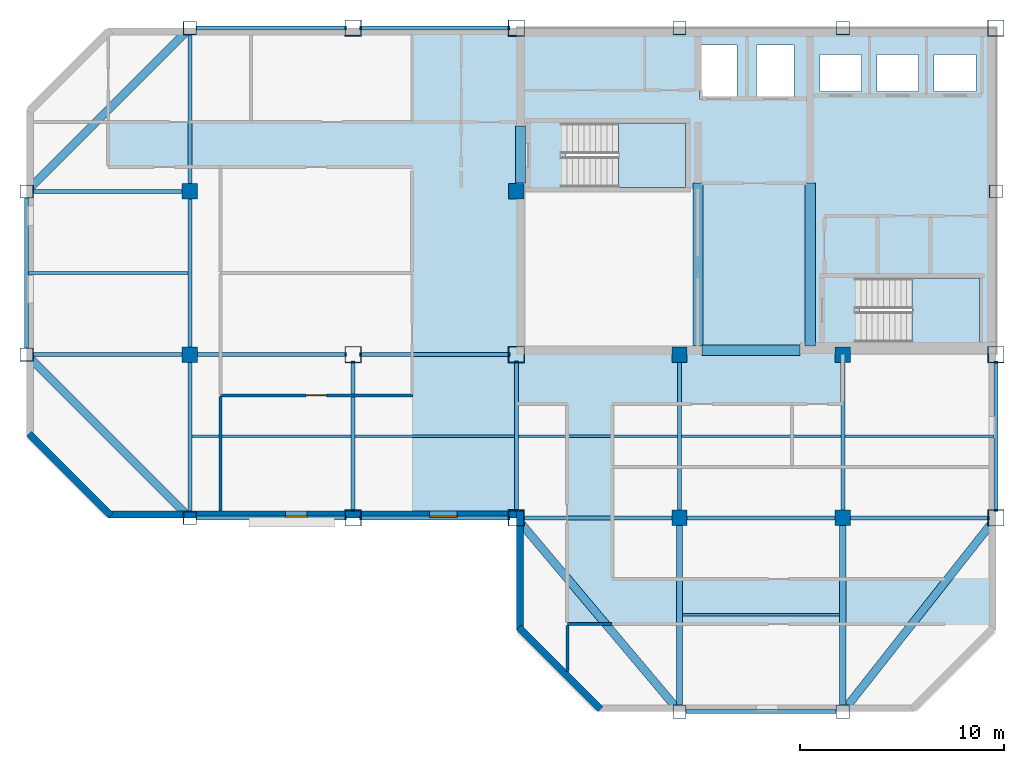
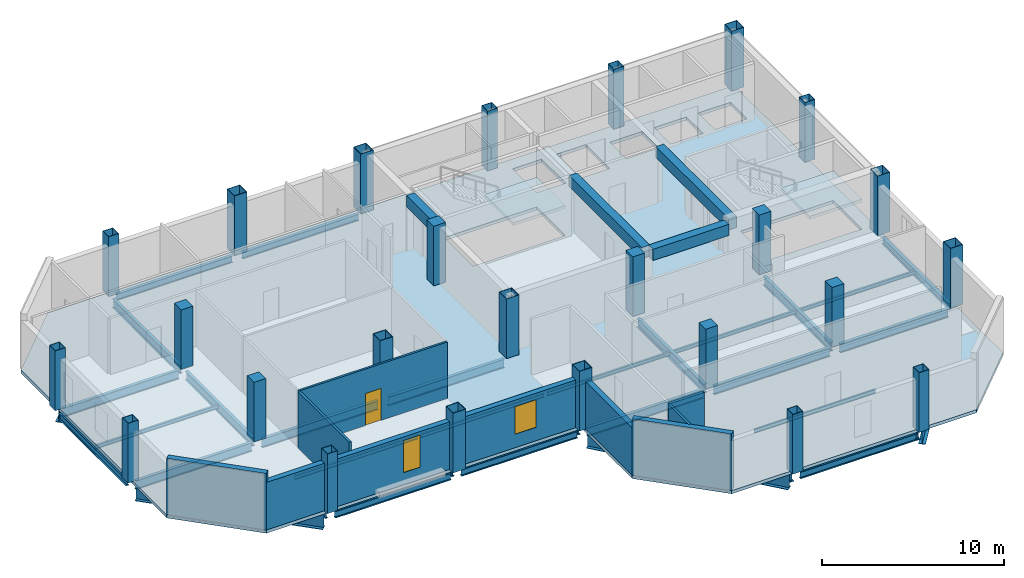
# One storey, part 1 of 7: 38 beams, 25 columns, 8 walls, 3 slabs, 2 windows, 1 door, 3 openings, 2 elements without a shape of their own.
"""IFC4 building model written with IfcOpenShell, lengths in metres."""

from ifc_helpers import new_model, si_unit, direction, frame, frame_2d, origin, origin_2d, place, context, subcontext, project, spatial, polyline, rectangle, hollow_rectangle, i_section, outline, extrude, material, layer, layer_set, material_profile, profile_set, type_object, element, fill, aggregate, save


model = new_model("IFC4")

# Units and contexts
model_context = context("Model", 3, precision=1e-05, world=origin(), true_north=direction((0.0, 1.0)))
body_context = subcontext(model_context, "Body", "Model", "MODEL_VIEW")
ifc_project = project(units=[si_unit("LENGTHUNIT", "METRE"), si_unit("AREAUNIT", "SQUARE_METRE"), si_unit("VOLUMEUNIT", "CUBIC_METRE"), si_unit("PLANEANGLEUNIT", "RADIAN"), si_unit("MASSUNIT", "GRAM", prefix="KILO")], contexts=[model_context])

# Site, building, storey
site_placement = place(None, origin())
site = spatial("IfcSite", under=ifc_project, at=site_placement, CompositionType="ELEMENT")
building_placement = place(site_placement, origin())
building = spatial("IfcBuilding", under=site, at=building_placement, Name="Qianrong Seaharbour Tower", CompositionType="ELEMENT")
storey_placement = place(building_placement, frame((0.0, 0.0, 339.199951171875)))
storey = spatial("IfcBuildingStorey", under=building, at=storey_placement, Name="L82", CompositionType="ELEMENT", Elevation=339.199951171875)

# Columns
ifc_material_1 = material(Name="Structural steel SN490B", Category="steel")
ifc_material_profile_1 = material_profile(ifc_material_1, hollow_rectangle(XDim=0.800048828125, YDim=0.800048828125, WallThickness=0.031982421875, at=origin_2d()), Name="BOX800x800x32")
ifc_profile_set_1 = profile_set([ifc_material_profile_1], Name="Structural steel SN490B")
column_type_1 = type_object("IfcColumnType", Name="COL-CFT-800", PredefinedType="COLUMN", material=ifc_profile_set_1)
for number, where, z_axis, x_axis, name in (
    (1, (32.5, 28.0, 0.0), (0.0, 0.0, 1.0), (1.0, 0.0, 0.0), "L82 Column MC-5 at G5/GE"),
    (2, (32.5, 36.0, 0.0), (0.0, 0.0, 1.0), (1.0, 0.0, 0.0), "L82 Column MC-5 at G5/GF"),
    (3, (32.5, 52.0, 0.0), (0.0, 0.0, 1.0), (1.0, 0.0, 0.0), "L82 Column MC-5 at G5/GH"),
    (4, (40.5, 28.0, 0.0), (0.0, 0.0, 1.0), (1.0, 0.0, 0.0), "L82 Column MC-5 at G6/GE"),
    (5, (40.5, 36.0, 0.0), (0.0, 0.0, 1.0), (1.0, 0.0, 0.0), "L82 Column MC-5 at G6/GF"),
    (6, (40.5, 52.0, 0.0), (0.0, 0.0, 1.0), (1.0, 0.0, 0.0), "L82 Column MC-5 at G6/GH"),
    (7, (64.0, 28.0, 0.0), (0.0, 0.0, 1.0), (1.0, 0.0, 0.0), "L82 Column MC-5 at G9/GE"),
    (8, (64.0, 36.0, 0.0), (0.0, 0.0, 1.0), (1.0, 0.0, 0.0), "L82 Column MC-5 at G9/GF"),
    (9, (64.0, 52.0, 0.0), (0.0, 0.0, 1.0), (1.0, 0.0, 0.0), "L82 Column MC-5 at G9/GH"),
):
    element("IfcColumn", number, at=place(storey_placement, frame(where, z_axis=z_axis, x_axis=x_axis)), inside=storey, type_object=column_type_1, Name=name, PredefinedType="COLUMN", context=body_context, shape_type="SweptSolid", body=[
        extrude(hollow_rectangle(XDim=0.800048828125, YDim=0.800048828125, WallThickness=0.031982421875, at=origin_2d()), origin(), (0.0, 0.0, 1.0), 4.0),
    ])
ifc_material_2 = material(Name="Concrete C50/60", Category="concrete")
ifc_material_profile_2 = material_profile(ifc_material_2, rectangle(XDim=0.75, YDim=0.75, at=origin_2d()), Name="RC750x750")
ifc_profile_set_2 = profile_set([ifc_material_profile_2], Name="Concrete C50/60")
column_type_2 = type_object("IfcColumnType", Name="COL-INT-RC750", PredefinedType="COLUMN", material=ifc_profile_set_2)
for number, where, z_axis, x_axis, name in (
    (10, (24.5, 36.0, 0.0), (0.0, 0.0, 1.0), (1.0, 0.0, 0.0), "L82 Column IC-4 at G4/GF"),
    (11, (24.5, 44.0, 0.0), (0.0, 0.0, 1.0), (1.0, 0.0, 0.0), "L82 Column IC-4 at G4/GG"),
    (12, (40.5, 44.0, 0.0), (0.0, 0.0, 1.0), (1.0, 0.0, 0.0), "L82 Column IC-4 at G6/GG"),
    (13, (48.5, 28.0, 0.0), (0.0, 0.0, 1.0), (1.0, 0.0, 0.0), "L82 Column IC-4 at G7/GE"),
    (14, (48.5, 36.0, 0.0), (0.0, 0.0, 1.0), (1.0, 0.0, 0.0), "L82 Column IC-4 at G7/GF"),
    (15, (56.5, 28.0, 0.0), (0.0, 0.0, 1.0), (1.0, 0.0, 0.0), "L82 Column IC-4 at G8/GE"),
    (16, (56.5, 36.0, 0.0), (0.0, 0.0, 1.0), (1.0, 0.0, 0.0), "L82 Column IC-4 at G8/GF"),
):
    element("IfcColumn", number, at=place(storey_placement, frame(where, z_axis=z_axis, x_axis=x_axis)), inside=storey, type_object=column_type_2, Name=name, PredefinedType="COLUMN", context=body_context, shape_type="SweptSolid", body=[
        extrude(rectangle(XDim=0.75, YDim=0.75, at=origin_2d()), origin(), (0.0, 0.0, 1.0), 4.0),
    ])
ifc_material_3 = material(Name="Structural steel SN400B", Category="steel")
ifc_material_profile_3 = material_profile(ifc_material_3, hollow_rectangle(XDim=0.64990234375, YDim=0.64990234375, WallThickness=0.028076171875, at=origin_2d()), Name="BOX650x650x28")
ifc_profile_set_3 = profile_set([ifc_material_profile_3], Name="Structural steel SN400B")
column_type_3 = type_object("IfcColumnType", Name="COL-PER-650", PredefinedType="COLUMN", material=ifc_profile_set_3)
for number, where, z_axis, x_axis, name in (
    (17, (16.5, 36.0, 0.0), (0.0, 0.0, 1.0), (1.0, 0.0, 0.0), "L82 Column PC-4 at G3/GF"),
    (18, (16.5, 44.0, 0.0), (0.0, 0.0, 1.0), (1.0, 0.0, 0.0), "L82 Column PC-4 at G3/GG"),
    (19, (24.5, 28.0, 0.0), (0.0, 0.0, 1.0), (1.0, 0.0, 0.0), "L82 Column PC-4 at G4/GE"),
    (20, (24.5, 52.0, 0.0), (0.0, 0.0, 1.0), (1.0, 0.0, 0.0), "L82 Column PC-4 at G4/GH"),
    (21, (48.5, 18.5, 0.0), (0.0, 0.0, 1.0), (1.0, 0.0, 0.0), "L82 Column PC-4 at G7/GD"),
    (22, (48.5, 52.0, 0.0), (0.0, 0.0, 1.0), (1.0, 0.0, 0.0), "L82 Column PC-4 at G7/GH"),
    (23, (56.5, 18.5, 0.0), (0.0, 0.0, 1.0), (1.0, 0.0, 0.0), "L82 Column PC-4 at G8/GD"),
    (24, (56.5, 52.0, 0.0), (0.0, 0.0, 1.0), (1.0, 0.0, 0.0), "L82 Column PC-4 at G8/GH"),
    (25, (64.0, 44.0, 0.0), (0.0, 0.0, 1.0), (1.0, 0.0, 0.0), "L82 Column PC-4 at G9/GG"),
):
    element("IfcColumn", number, at=place(storey_placement, frame(where, z_axis=z_axis, x_axis=x_axis)), inside=storey, type_object=column_type_3, Name=name, PredefinedType="COLUMN", context=body_context, shape_type="SweptSolid", body=[
        extrude(hollow_rectangle(XDim=0.64990234375, YDim=0.64990234375, WallThickness=0.028076171875, at=origin_2d()), origin(), (0.0, 0.0, 1.0), 4.0),
    ])

# Beams
ifc_material_profile_4 = material_profile(ifc_material_1, i_section(OverallWidth=0.199951171875, OverallDepth=0.60009765625, WebThickness=0.010986328125, FlangeThickness=0.01708984375, FilletRadius=0.02197265625, at=origin_2d()), Name="H600x200x11x17")
ifc_profile_set_4 = profile_set([ifc_material_profile_4], Name="Structural steel SN490B")
beam_type_1 = type_object("IfcBeamType", Name="BM-G-600", PredefinedType="BEAM", material=ifc_profile_set_4)
for number, where, z_axis, x_axis, name in (
    (26, (40.820068359375, 28.0, -0.514892578125), (1.0, 0.0, 0.0), (0.0, 1.0, 0.0), "L82 Primary Girder GE G6-G7"),
    (27, (48.820068359375, 28.0, -0.514892578125), (1.0, 0.0, 0.0), (0.0, 1.0, 0.0), "L82 Primary Girder GE G7-G8"),
):
    element("IfcBeam", number, at=place(storey_placement, frame(where, z_axis=z_axis, x_axis=x_axis)), inside=storey, type_object=beam_type_1, Name=name, PredefinedType="BEAM", context=body_context, shape_type="SweptSolid", body=[
        extrude(i_section(OverallWidth=0.199951171875, OverallDepth=0.60009765625, WebThickness=0.010986328125, FlangeThickness=0.01708984375, FilletRadius=0.02197265625, at=origin_2d()), origin(), (0.0, 0.0, 1.0), 7.35986328125),
    ])
beam_1_placement = place(storey_placement, frame((56.820068359375, 28.0, -0.514892578125), z_axis=(1.0, 0.0, 0.0), x_axis=(0.0, 1.0, 0.0)))
element("IfcBeam", 28, at=beam_1_placement, inside=storey, type_object=beam_type_1, Name="L82 Primary Girder GE G8-G9", PredefinedType="BEAM", context=body_context, shape_type="SweptSolid", body=[
    extrude(i_section(OverallWidth=0.199951171875, OverallDepth=0.60009765625, WebThickness=0.010986328125, FlangeThickness=0.01708984375, FilletRadius=0.02197265625, at=origin_2d()), origin(), (0.0, 0.0, 1.0), 6.85986328125),
])
for number, where, z_axis, x_axis, name in (
    (29, (16.820068359375, 36.0, -0.514892578125), (1.0, 0.0, 0.0), (0.0, 1.0, 0.0), "L82 Primary Girder GF G3-G4"),
    (30, (24.820068359375, 36.0, -0.514892578125), (1.0, 0.0, 0.0), (0.0, 1.0, 0.0), "L82 Primary Girder GF G4-G5"),
    (31, (32.820068359375, 36.0, -0.514892578125), (1.0, 0.0, 0.0), (0.0, 1.0, 0.0), "L82 Primary Girder GF G5-G6"),
    (32, (16.820068359375, 44.0, -0.514892578125), (1.0, 0.0, 0.0), (0.0, 1.0, 0.0), "L82 Primary Girder GG G3-G4"),
    (33, (24.5, 28.320068359375, -0.514892578125), (0.0, 1.0, 0.0), (-1.0, 0.0, 0.0), "L82 Primary Girder G4 GE-GF"),
    (34, (24.5, 36.320068359375, -0.514892578125), (0.0, 1.0, 0.0), (-1.0, 0.0, 0.0), "L82 Primary Girder G4 GF-GG"),
    (35, (24.5, 44.320068359375, -0.514892578125), (0.0, 1.0, 0.0), (-1.0, 0.0, 0.0), "L82 Primary Girder G4 GG-GH"),
    (36, (32.5, 28.320068359375, -0.514892578125), (0.0, 1.0, 0.0), (-1.0, 0.0, 0.0), "L82 Primary Girder G5 GE-GF"),
    (37, (40.5, 28.320068359375, -0.514892578125), (0.0, 1.0, 0.0), (-1.0, 0.0, 0.0), "L82 Primary Girder G6 GE-GF"),
    (38, (48.5, 28.320068359375, -0.514892578125), (0.0, 1.0, 0.0), (-1.0, 0.0, 0.0), "L82 Primary Girder G7 GE-GF"),
    (39, (56.5, 28.320068359375, -0.514892578125), (0.0, 1.0, 0.0), (-1.0, 0.0, 0.0), "L82 Primary Girder G8 GE-GF"),
):
    element("IfcBeam", number, at=place(storey_placement, frame(where, z_axis=z_axis, x_axis=x_axis)), inside=storey, type_object=beam_type_1, Name=name, PredefinedType="BEAM", context=body_context, shape_type="SweptSolid", body=[
        extrude(i_section(OverallWidth=0.199951171875, OverallDepth=0.60009765625, WebThickness=0.010986328125, FlangeThickness=0.01708984375, FilletRadius=0.02197265625, at=origin_2d()), origin(), (0.0, 0.0, 1.0), 7.35986328125),
    ])
ifc_material_profile_5 = material_profile(ifc_material_1, i_section(OverallWidth=0.300048828125, OverallDepth=0.800048828125, WebThickness=0.013916015625, FlangeThickness=0.02587890625, FilletRadius=0.028076171875, at=origin_2d()), Name="H800x300x14x26")
ifc_profile_set_5 = profile_set([ifc_material_profile_5], Name="Structural steel SN490B")
beam_type_2 = type_object("IfcBeamType", Name="BM-G-800", PredefinedType="BEAM", material=ifc_profile_set_5)
for number, where, z_axis, x_axis, name in (
    (40, (48.5, 18.820068359375, -0.614990234375), (0.0, 1.0, 0.0), (-1.0, 0.0, 0.0), "L82 Primary Girder G7 GD-GE"),
    (41, (56.5, 18.820068359375, -0.614990234375), (0.0, 1.0, 0.0), (-1.0, 0.0, 0.0), "L82 Primary Girder G8 GD-GE"),
):
    element("IfcBeam", number, at=place(storey_placement, frame(where, z_axis=z_axis, x_axis=x_axis)), inside=storey, type_object=beam_type_2, Name=name, PredefinedType="BEAM", context=body_context, shape_type="SweptSolid", body=[
        extrude(i_section(OverallWidth=0.300048828125, OverallDepth=0.800048828125, WebThickness=0.013916015625, FlangeThickness=0.02587890625, FilletRadius=0.028076171875, at=origin_2d()), origin(), (0.0, 0.0, 1.0), 8.85986328125),
    ])
ifc_material_profile_6 = material_profile(ifc_material_3, i_section(OverallWidth=0.125, OverallDepth=0.25, WebThickness=0.006103515625, FlangeThickness=0.009033203125, FilletRadius=0.011962890625, at=origin_2d()), Name="H250x125x6x9")
ifc_profile_set_6 = profile_set([ifc_material_profile_6], Name="Structural steel SN400B")
beam_type_3 = type_object("IfcBeamType", Name="BM-J-250", PredefinedType="JOIST", material=ifc_profile_set_6)
for number, where, z_axis, x_axis, name in (
    (42, (16.60009765625, 40.0, -0.33984375), (1.0, 0.0, 0.0), (0.0, 1.0, 0.0), "L82 Composite Floor Joist G3-G4/GF-GG"),
    (43, (24.60009765625, 32.0, -0.33984375), (1.0, 0.0, 0.0), (0.0, 1.0, 0.0), "L82 Composite Floor Joist G4-G5/GE-GF"),
    (44, (32.60009765625, 32.0, -0.33984375), (1.0, 0.0, 0.0), (0.0, 1.0, 0.0), "L82 Composite Floor Joist G5-G6/GE-GF"),
    (45, (40.60009765625, 32.0, -0.33984375), (1.0, 0.0, 0.0), (0.0, 1.0, 0.0), "L82 Composite Floor Joist G6-G7/GE-GF"),
):
    element("IfcBeam", number, at=place(storey_placement, frame(where, z_axis=z_axis, x_axis=x_axis)), inside=storey, type_object=beam_type_3, Name=name, PredefinedType="JOIST", context=body_context, shape_type="SweptSolid", body=[
        extrude(i_section(OverallWidth=0.125, OverallDepth=0.25, WebThickness=0.006103515625, FlangeThickness=0.009033203125, FilletRadius=0.011962890625, at=origin_2d()), origin(), (0.0, 0.0, 1.0), 7.7998046875),
    ])
beam_2_placement = place(storey_placement, frame((48.64990234375, 23.25, -0.33984375), z_axis=(1.0, 0.0, 0.0), x_axis=(0.0, 1.0, 0.0)))
element("IfcBeam", 46, at=beam_2_placement, inside=storey, type_object=beam_type_3, Name="L82 Composite Floor Joist G7-G8/GD-GE", PredefinedType="JOIST", context=body_context, shape_type="SweptSolid", body=[
    extrude(i_section(OverallWidth=0.125, OverallDepth=0.25, WebThickness=0.006103515625, FlangeThickness=0.009033203125, FilletRadius=0.011962890625, at=origin_2d()), origin(), (0.0, 0.0, 1.0), 7.7001953125),
])
beam_3_placement = place(storey_placement, frame((48.60009765625, 32.0, -0.33984375), z_axis=(1.0, 0.0, 0.0), x_axis=(0.0, 1.0, 0.0)))
element("IfcBeam", 47, at=beam_3_placement, inside=storey, type_object=beam_type_3, Name="L82 Composite Floor Joist G7-G8/GE-GF", PredefinedType="JOIST", context=body_context, shape_type="SweptSolid", body=[
    extrude(i_section(OverallWidth=0.125, OverallDepth=0.25, WebThickness=0.006103515625, FlangeThickness=0.009033203125, FilletRadius=0.011962890625, at=origin_2d()), origin(), (0.0, 0.0, 1.0), 7.7998046875),
])
beam_4_placement = place(storey_placement, frame((56.60009765625, 32.0, -0.33984375), z_axis=(1.0, 0.0, 0.0), x_axis=(0.0, 1.0, 0.0)))
element("IfcBeam", 48, at=beam_4_placement, inside=storey, type_object=beam_type_3, Name="L82 Composite Floor Joist G8-G9/GE-GF", PredefinedType="JOIST", context=body_context, shape_type="SweptSolid", body=[
    extrude(i_section(OverallWidth=0.125, OverallDepth=0.25, WebThickness=0.006103515625, FlangeThickness=0.009033203125, FilletRadius=0.011962890625, at=origin_2d()), origin(), (0.0, 0.0, 1.0), 7.2998046875),
])
ifc_material_4 = material(Name="Concrete C60/75", Category="concrete")
ifc_material_profile_7 = material_profile(ifc_material_4, rectangle(XDim=0.5, YDim=0.75, at=origin_2d()), Name="RC500x750")
ifc_profile_set_7 = profile_set([ifc_material_profile_7], Name="Concrete C60/75")
beam_type_4 = type_object("IfcBeamType", Name="BM-LINTEL-750", PredefinedType="LINTEL", material=ifc_profile_set_7)
beam_5_placement = place(storey_placement, frame((40.7099609375, 44.39990234375, 3.41015625), z_axis=(0.0, 1.0, 0.0), x_axis=(-1.0, 0.0, 0.0)))
element("IfcBeam", 49, at=beam_5_placement, inside=storey, type_object=beam_type_4, Name="L82 Core Coupling Lintel Beam West", PredefinedType="LINTEL", context=body_context, shape_type="SweptSolid", body=[
    extrude(rectangle(XDim=0.5, YDim=0.75, at=origin_2d()), origin(), (0.0, 0.0, 1.0), 2.800048828125),
])
beam_6_placement = place(storey_placement, frame((49.60009765625, 36.2099609375, 3.41015625), z_axis=(1.0, 0.0, 0.0), x_axis=(0.0, 1.0, 0.0)))
element("IfcBeam", 50, at=beam_6_placement, inside=storey, type_object=beam_type_4, Name="L82 Core Coupling Lintel Beam CBC", PredefinedType="LINTEL", context=body_context, shape_type="SweptSolid", body=[
    extrude(rectangle(XDim=0.5, YDim=0.75, at=origin_2d()), origin(), (0.0, 0.0, 1.0), 4.7998046875),
])
for number, where, z_axis, x_axis, name in (
    (51, (49.39990234375, 36.419921875, 3.41015625), (0.0, 1.0, 0.0), (-1.0, 0.0, 0.0), "L82 Internal Core Coupling Beam IW1"),
    (52, (54.89990234375, 36.419921875, 3.41015625), (0.0, 1.0, 0.0), (-1.0, 0.0, 0.0), "L82 Internal Core Coupling Beam IW2"),
):
    element("IfcBeam", number, at=place(storey_placement, frame(where, z_axis=z_axis, x_axis=x_axis)), inside=storey, type_object=beam_type_4, Name=name, PredefinedType="LINTEL", context=body_context, shape_type="SweptSolid", body=[
        extrude(rectangle(XDim=0.5, YDim=0.75, at=origin_2d()), origin(), (0.0, 0.0, 1.0), 7.97998046875),
    ])
ifc_material_profile_8 = material_profile(ifc_material_3, i_section(OverallWidth=0.199951171875, OverallDepth=0.449951171875, WebThickness=0.009033203125, FlangeThickness=0.013916015625, FilletRadius=0.01806640625, at=origin_2d()), Name="H450x200x9x14")
ifc_profile_set_8 = profile_set([ifc_material_profile_8], Name="Structural steel SN400B")
beam_type_5 = type_object("IfcBeamType", Name="BM-SP-450", PredefinedType="SPANDREL", material=ifc_profile_set_8)
for number, where, z_axis, x_axis, name in (
    (53, (48.820068359375, 18.5, -0.43994140625), (1.0, 0.0, 0.0), (0.0, 1.0, 0.0), "L82 Spandrel Girder GD G7-G8"),
    (54, (24.820068359375, 28.0, -0.43994140625), (1.0, 0.0, 0.0), (0.0, 1.0, 0.0), "L82 Spandrel Girder GE G4-G5"),
    (55, (32.820068359375, 28.0, -0.43994140625), (1.0, 0.0, 0.0), (0.0, 1.0, 0.0), "L82 Spandrel Girder GE G5-G6"),
    (56, (24.820068359375, 52.0, -0.43994140625), (1.0, 0.0, 0.0), (0.0, 1.0, 0.0), "L82 Spandrel Girder GH G4-G5"),
    (57, (32.820068359375, 52.0, -0.43994140625), (1.0, 0.0, 0.0), (0.0, 1.0, 0.0), "L82 Spandrel Girder GH G5-G6"),
    (58, (16.5, 36.320068359375, -0.43994140625), (0.0, 1.0, 0.0), (-1.0, 0.0, 0.0), "L82 Spandrel Girder G3 GF-GG"),
    (59, (64.0, 28.320068359375, -0.43994140625), (0.0, 1.0, 0.0), (-1.0, 0.0, 0.0), "L82 Spandrel Girder G9 GE-GF"),
):
    element("IfcBeam", number, at=place(storey_placement, frame(where, z_axis=z_axis, x_axis=x_axis)), inside=storey, type_object=beam_type_5, Name=name, PredefinedType="SPANDREL", context=body_context, shape_type="SweptSolid", body=[
        extrude(i_section(OverallWidth=0.199951171875, OverallDepth=0.449951171875, WebThickness=0.009033203125, FlangeThickness=0.013916015625, FilletRadius=0.01806640625, at=origin_2d()), origin(), (0.0, 0.0, 1.0), 7.35986328125),
    ])
ifc_material_profile_9 = material_profile(ifc_material_1, i_section(OverallWidth=0.39990234375, OverallDepth=1.10009765625, WebThickness=0.02001953125, FlangeThickness=0.035888671875, at=origin_2d()), Name="BH1100x400x20x36")
ifc_profile_set_9 = profile_set([ifc_material_profile_9], Name="Structural steel SN490B")
beam_type_6 = type_object("IfcBeamType", Name="BM-TG-1100", PredefinedType="BEAM", material=ifc_profile_set_9)
for number, where, z_axis, x_axis, name in (
    (60, (24.273681640625, 28.226318359375, -0.764892578125), (-0.707106781187, 0.707106781187, 0.0), (-0.707106781187, -0.707106781187, 0.0), "L82 Chamfer Corner Spandrel Girder G3/GE"),
    (61, (24.273681640625, 51.773681640625, -0.764892578125), (-0.707106781187, -0.707106781187, 0.0), (0.707106781187, -0.707106781187, 0.0), "L82 Chamfer Corner Spandrel Girder G3/GH"),
):
    element("IfcBeam", number, at=place(storey_placement, frame(where, z_axis=z_axis, x_axis=x_axis)), inside=storey, type_object=beam_type_6, Name=name, PredefinedType="BEAM", context=body_context, shape_type="SweptSolid", body=[
        extrude(i_section(OverallWidth=0.39990234375, OverallDepth=1.10009765625, WebThickness=0.02001953125, FlangeThickness=0.035888671875, at=origin_2d()), origin(), (0.0, 0.0, 1.0), 10.673583984375),
    ])
beam_7_placement = place(storey_placement, frame((48.2939453125, 18.744873046875, -0.764892578125), z_axis=(-0.644151063101, 0.764898299061, 0.0), x_axis=(-0.764898299061, -0.644151063101, 0.0)))
element("IfcBeam", 62, at=beam_7_placement, inside=storey, type_object=beam_type_6, Name="L82 Chamfer Corner Spandrel Girder G6/GD", PredefinedType="BEAM", context=body_context, shape_type="SweptSolid", body=[
    extrude(i_section(OverallWidth=0.39990234375, OverallDepth=1.10009765625, WebThickness=0.02001953125, FlangeThickness=0.035888671875, at=origin_2d()), origin(), (0.0, 0.0, 1.0), 11.77978515625),
])
beam_8_placement = place(storey_placement, frame((56.6982421875, 18.751220703125, -0.764892578125), z_axis=(0.619653955715, 0.784875133487, 0.0), x_axis=(-0.784875133487, 0.619653955715, 0.0)))
element("IfcBeam", 63, at=beam_8_placement, inside=storey, type_object=beam_type_6, Name="L82 Chamfer Corner Spandrel Girder G9/GD", PredefinedType="BEAM", context=body_context, shape_type="SweptSolid", body=[
    extrude(i_section(OverallWidth=0.39990234375, OverallDepth=1.10009765625, WebThickness=0.02001953125, FlangeThickness=0.035888671875, at=origin_2d()), origin(), (0.0, 0.0, 1.0), 11.463623046875),
])

# Stair, slab
stair_type = type_object("IfcStairType", Name="STAIR-DOGLEG-1500-R22", PredefinedType="HALF_TURN_STAIR", material=ifc_material_2)
stair_1_placement = place(storey_placement, origin())
stair_1 = element("IfcStair", 64, at=stair_1_placement, inside=storey, type_object=stair_type, Name="L82 Protected Escape Stair ST-1", PredefinedType="HALF_TURN_STAIR")
ifc_layer_1 = layer(ifc_material_2, 0.199951171875)
ifc_layer_set_1 = layer_set([ifc_layer_1], Name="Concrete C50/60")
slab_type_1 = type_object("IfcSlabType", Name="SLAB-STAIR-LANDING-200", PredefinedType="LANDING", material=ifc_layer_set_1)
slab_1_placement = place(storey_placement, frame((0.0, 0.0, 1.800048828125)))
slab_1 = element("IfcSlab", 65, at=slab_1_placement, type_object=slab_type_1, Name="ST-1 landing 1", PredefinedType="LANDING", context=body_context, shape_type="SweptSolid", body=[
    extrude(outline(polyline([(45.5, 44.199951171875), (48.800048828125, 44.199951171875), (48.800048828125, 47.35009765625), (45.5, 47.35009765625), (45.5, 44.199951171875)])), origin(), (0.0, 0.0, 1.0), 0.199951171875),
])
aggregate(stair_1, [slab_1])

stair_2_placement = place(storey_placement, origin())
stair_2 = element("IfcStair", 66, at=stair_2_placement, inside=storey, type_object=stair_type, Name="L82 Protected Escape Stair ST-2", PredefinedType="HALF_TURN_STAIR")
slab_2_placement = place(storey_placement, frame((0.0, 0.0, 1.800048828125)))
slab_2 = element("IfcSlab", 67, at=slab_2_placement, type_object=slab_type_1, Name="ST-2 landing 1", PredefinedType="LANDING", context=body_context, shape_type="SweptSolid", body=[
    extrude(outline(polyline([(59.89990234375, 36.60009765625), (63.199951171875, 36.60009765625), (63.199951171875, 39.75), (59.89990234375, 39.75), (59.89990234375, 36.60009765625)])), origin(), (0.0, 0.0, 1.0), 0.199951171875),
])
aggregate(stair_2, [slab_2])

# Slab
ifc_layer_2 = layer(ifc_material_2, 0.215087890625)
ifc_layer_set_2 = layer_set([ifc_layer_2], Name="Concrete C50/60")
slab_type_2 = type_object("IfcSlabType", Name="SLAB-Z4-215", PredefinedType="FLOOR", material=ifc_layer_set_2)
slab_3_placement = place(storey_placement, frame((0.0, 0.0, -0.21484375)))
element("IfcSlab", 68, at=slab_3_placement, inside=storey, type_object=slab_type_2, Name="L82 Structural Floor Slab", PredefinedType="FLOOR", context=body_context, shape_type="SweptSolid", body=[
    extrude(outline(polyline([(44.5, 18.5), (60.0, 18.5), (64.0, 22.5), (64.0, 52.0), (20.5, 52.0), (16.5, 48.0), (16.5, 32.0), (20.5, 28.0), (40.5, 28.0), (40.5, 22.5), (44.5, 18.5)]), holes=[polyline([(42.93994140625, 44.199951171875), (42.93994140625, 47.35009765625), (48.800048828125, 47.35009765625), (48.800048828125, 44.199951171875), (42.93994140625, 44.199951171875)]), polyline([(57.340087890625, 36.60009765625), (57.340087890625, 39.75), (63.199951171875, 39.75), (63.199951171875, 36.60009765625), (57.340087890625, 36.60009765625)]), polyline([(49.47998046875, 48.530029296875), (49.47998046875, 51.169921875), (51.320068359375, 51.169921875), (51.320068359375, 48.530029296875), (49.47998046875, 48.530029296875)]), polyline([(52.280029296875, 48.530029296875), (52.280029296875, 51.169921875), (54.1201171875, 51.169921875), (54.1201171875, 48.530029296875), (52.280029296875, 48.530029296875)]), polyline([(55.3798828125, 48.89990234375), (55.3798828125, 50.699951171875), (57.419921875, 50.699951171875), (57.419921875, 48.89990234375), (55.3798828125, 48.89990234375)]), polyline([(58.179931640625, 48.89990234375), (58.179931640625, 50.699951171875), (60.219970703125, 50.699951171875), (60.219970703125, 48.89990234375), (58.179931640625, 48.89990234375)]), polyline([(60.97998046875, 48.89990234375), (60.97998046875, 50.699951171875), (63.02001953125, 50.699951171875), (63.02001953125, 48.89990234375), (60.97998046875, 48.89990234375)])]), origin(), (0.0, 0.0, 1.0), 0.21484375),
])

# Walls
ifc_material_5 = material(Name="Fire-rated acoustic gypsum board partition")
ifc_layer_3 = layer(ifc_material_5, 0.1650390625)
ifc_layer_set_3 = layer_set([ifc_layer_3], Name="Fire-rated acoustic gypsum board partition")
wall_type_1 = type_object("IfcWallType", Name="WALL-CORR-PART-165", PredefinedType="PARTITIONING", material=ifc_layer_set_3)
wall_1_placement = place(storey_placement, frame((45.199951171875, 22.800048828125, 0.0), z_axis=(0.0, 0.0, 1.0), x_axis=(-1.0, 0.0, 0.0)))
element("IfcWall", 69, at=wall_1_placement, inside=storey, type_object=wall_type_1, Name="L82 Interior Partition Wall 029", PredefinedType="PARTITIONING", context=body_context, shape_type="SweptSolid", body=[
    extrude(rectangle(XDim=2.199951171875, YDim=0.1650390625, at=frame_2d((1.10009765625, 0.0))), origin(), (0.0, 0.0, 1.0), 3.78515625),
])
ifc_material_6 = material(Name="Unitised buff brick on Precast concrete C45/55", Category="masonry")
ifc_layer_4 = layer(ifc_material_6, 0.340087890625)
ifc_layer_set_4 = layer_set([ifc_layer_4], Name="Unitised buff brick on Precast concrete C45/55")
wall_type_2 = type_object("IfcWallType", Name="WALL-EXT-BRICK-BUFF-340", PredefinedType="SOLIDWALL", material=ifc_layer_set_4)
wall_2_placement = place(storey_placement, frame((40.669921875, 22.5, 0.0), z_axis=(0.0, 0.0, 1.0), x_axis=(0.0, 1.0, 0.0)))
element("IfcWall", 70, at=wall_2_placement, inside=storey, type_object=wall_type_2, Name="L82 Exterior Masonry Facade Wall REENTRANT_WEST", PredefinedType="SOLIDWALL", context=body_context, shape_type="SweptSolid", body=[
    extrude(rectangle(XDim=5.840087890625, YDim=0.340087890625, at=frame_2d((2.919921875, 0.0))), origin(), (0.0, 0.0, 1.0), 3.18505859375),
])

# Wall, openings, windows
wall_3_placement = place(storey_placement, frame((40.52001953125, 28.169921875, 0.0), z_axis=(0.0, 0.0, 1.0), x_axis=(-1.0, 0.0, 0.0)))
wall_3 = element("IfcWall", 71, at=wall_3_placement, inside=storey, type_object=wall_type_2, Name="L82 Exterior Masonry Facade Wall HARBOUR_RIBBON", PredefinedType="SOLIDWALL", context=body_context, shape_type="SweptSolid", body=[
    extrude(rectangle(XDim=20.02001953125, YDim=0.340087890625, at=frame_2d((10.010009765625, 0.0))), origin(), (0.0, 0.0, 1.0), 3.18505859375),
])
opening_1_placement = place(wall_3_placement, frame((2.925048828125, 0.0, 0.89990234375)))
opening_1 = element("IfcOpeningElement", 72, at=opening_1_placement, cuts=wall_3, Name="Opening WN-02", PredefinedType="OPENING", context=body_context, shape_type="SweptSolid", body=[
    extrude(rectangle(XDim=1.35009765625, YDim=1.85009765625, at=frame_2d((0.675048828125, 0.925048828125))), frame((0.0, 0.18017578125, 0.0), z_axis=(0.0, -1.0, 0.0), x_axis=(1.0, 0.0, 0.0)), (0.0, 0.0, 1.0), 0.360107421875),
])
opening_2_placement = place(wall_3_placement, frame((10.27490234375, 0.0, 0.800048828125)))
opening_2 = element("IfcOpeningElement", 73, at=opening_2_placement, cuts=wall_3, Name="Opening WN-14", PredefinedType="OPENING", context=body_context, shape_type="SweptSolid", body=[
    extrude(rectangle(XDim=1.050048828125, YDim=2.14990234375, at=frame_2d((0.52490234375, 1.074951171875))), frame((0.0, 0.18017578125, 0.0), z_axis=(0.0, -1.0, 0.0), x_axis=(1.0, 0.0, 0.0)), (0.0, 0.0, 1.0), 0.360107421875),
])
ifc_material_7 = material(Name="Insulated low-e double glazing in thermally broken aluminium 6063-T6 frame", Category="aluminium")
window_type_1 = type_object("IfcWindowType", Name="WIN-NARROW-1050x2150", PartitioningType="SINGLE_PANEL", PredefinedType="WINDOW", material=ifc_material_7)
window_1_placement = place(opening_2_placement, origin())
window_1 = element("IfcWindow", 74, at=window_1_placement, inside=storey, type_object=window_type_1, Name="L82 Deep-Set Punched Window 01.03", OverallHeight=2.14990234375, OverallWidth=1.050048828125, PartitioningType="SINGLE_PANEL", PredefinedType="WINDOW", context=body_context, shape_type="SweptSolid", body=[
    extrude(rectangle(XDim=1.050048828125, YDim=2.14990234375, at=frame_2d((0.52490234375, 1.074951171875))), frame((0.0, 0.150146484375, 0.0), z_axis=(0.0, -1.0, 0.0), x_axis=(1.0, 0.0, 0.0)), (0.0, 0.0, 1.0), 0.06005859375),
])
fill(opening_2, window_1)
window_type_2 = type_object("IfcWindowType", Name="WIN-PUNCH-1350x1850", PartitioningType="DOUBLE_PANEL_VERTICAL", PredefinedType="WINDOW", material=ifc_material_7)
window_2_placement = place(opening_1_placement, origin())
window_2 = element("IfcWindow", 75, at=window_2_placement, inside=storey, type_object=window_type_2, Name="L82 Deep-Set Punched Window 01.01", OverallHeight=1.85009765625, OverallWidth=1.35009765625, PartitioningType="DOUBLE_PANEL_VERTICAL", PredefinedType="WINDOW", context=body_context, shape_type="SweptSolid", body=[
    extrude(rectangle(XDim=1.35009765625, YDim=1.85009765625, at=frame_2d((0.675048828125, 0.925048828125))), frame((0.0, 0.150146484375, 0.0), z_axis=(0.0, -1.0, 0.0), x_axis=(1.0, 0.0, 0.0)), (0.0, 0.0, 1.0), 0.06005859375),
])
fill(opening_1, window_2)

# Walls
for number, where, z_axis, x_axis, name in (
    (76, (20.6201171875, 28.1201171875, 0.0), (0.0, 0.0, 1.0), (-0.707106781187, 0.707106781187, 0.0), "L82 Exterior Masonry Facade Wall E02"),
    (77, (44.6201171875, 18.6201171875, 0.0), (0.0, 0.0, 1.0), (-0.707106781187, 0.707106781187, 0.0), "L82 Exterior Masonry Facade Wall E09"),
):
    element("IfcWall", number, at=place(storey_placement, frame(where, z_axis=z_axis, x_axis=x_axis)), inside=storey, type_object=wall_type_2, Name=name, PredefinedType="SOLIDWALL", context=body_context, shape_type="SweptSolid", body=[
        extrude(rectangle(XDim=5.65673828125, YDim=0.340087890625, at=frame_2d((2.828369140625, 0.0))), origin(), (0.0, 0.0, 1.0), 3.78515625),
    ])
ifc_material_8 = material(Name="Acoustic gypsum board stud partition")
ifc_layer_5 = layer(ifc_material_8, 0.14501953125)
ifc_layer_set_5 = layer_set([ifc_layer_5], Name="Acoustic gypsum board stud partition")
wall_type_3 = type_object("IfcWallType", Name="WALL-OFFICE-PART-145", PredefinedType="PARTITIONING", material=ifc_layer_set_5)
wall_4_placement = place(storey_placement, frame((43.0, 20.469482421875, 0.0), z_axis=(0.0, 0.0, 1.0), x_axis=(0.0, 1.0, 0.0)))
element("IfcWall", 78, at=wall_4_placement, inside=storey, type_object=wall_type_3, Name="L82 Interior Partition Wall 035", PredefinedType="PARTITIONING", context=body_context, shape_type="SweptSolid", body=[
    extrude(rectangle(XDim=2.256103515625, YDim=0.14501953125, at=frame_2d((1.1279296875, 0.0))), origin(), (0.0, 0.0, 1.0), 3.78515625),
])
wall_5_placement = place(storey_placement, frame((26.0, 33.943115234375, 0.0), z_axis=(0.0, 0.0, 1.0), x_axis=(0.0, -1.0, 0.0)))
element("IfcWall", 79, at=wall_5_placement, inside=storey, type_object=wall_type_3, Name="L82 Interior Partition Wall 042", PredefinedType="PARTITIONING", context=body_context, shape_type="SweptSolid", body=[
    extrude(rectangle(XDim=5.611083984375, YDim=0.14501953125, at=frame_2d((2.8056640625, 0.0))), origin(), (0.0, 0.0, 1.0), 3.78515625),
])

# Wall, opening, door
ifc_material_9 = material(Name="Water-resistant cement board sanitary partition")
ifc_layer_6 = layer(ifc_material_9, 0.1298828125)
ifc_layer_set_6 = layer_set([ifc_layer_6], Name="Water-resistant cement board sanitary partition")
wall_type_4 = type_object("IfcWallType", Name="WALL-WET-PART-130", PredefinedType="PARTITIONING", material=ifc_layer_set_6)
wall_6_placement = place(storey_placement, frame((26.0, 34.0, 0.0), z_axis=(0.0, 0.0, 1.0), x_axis=(1.0, 0.0, 0.0)))
wall_6 = element("IfcWall", 80, at=wall_6_placement, inside=storey, type_object=wall_type_4, Name="L82 Interior Partition Wall 045", PredefinedType="PARTITIONING", context=body_context, shape_type="SweptSolid", body=[
    extrude(rectangle(XDim=9.39990234375, YDim=0.1298828125, at=frame_2d((4.699951171875, 0.0))), origin(), (0.0, 0.0, 1.0), 3.78515625),
])
opening_3_placement = place(wall_6_placement, frame((4.199951171875, 0.0, 0.0)))
opening_3 = element("IfcOpeningElement", 81, at=opening_3_placement, cuts=wall_6, Name="Opening DO-01", PredefinedType="OPENING", context=body_context, shape_type="SweptSolid", body=[
    extrude(rectangle(XDim=1.0, YDim=2.14990234375, at=frame_2d((0.5, 1.074951171875))), frame((0.0, 0.074951171875, 0.0), z_axis=(0.0, -1.0, 0.0), x_axis=(1.0, 0.0, 0.0)), (0.0, 0.0, 1.0), 0.14990234375),
])
ifc_material_10 = material(Name="Acoustic timber and galvanized steel fire door assembly", Category="steel")
door_type = type_object("IfcDoorType", Name="DOOR-OFFICE-1000x2150", OperationType="NOTDEFINED", PredefinedType="DOOR", material=ifc_material_10)
door_placement = place(opening_3_placement, origin())
door = element("IfcDoor", 82, at=door_placement, inside=storey, type_object=door_type, Name="L82 Medical Examination Room 1 Door", OperationType="SINGLE_SWING_RIGHT", OverallHeight=2.14990234375, OverallWidth=1.0, PredefinedType="DOOR", context=body_context, shape_type="SweptSolid", body=[
    extrude(rectangle(XDim=1.0, YDim=2.14990234375, at=frame_2d((0.5, 1.074951171875))), frame((0.0, 0.02490234375, 0.0), z_axis=(0.0, -1.0, 0.0), x_axis=(1.0, 0.0, 0.0)), (0.0, 0.0, 1.0), 0.050048828125),
])
fill(opening_3, door)

save(model, "model.ifc")
